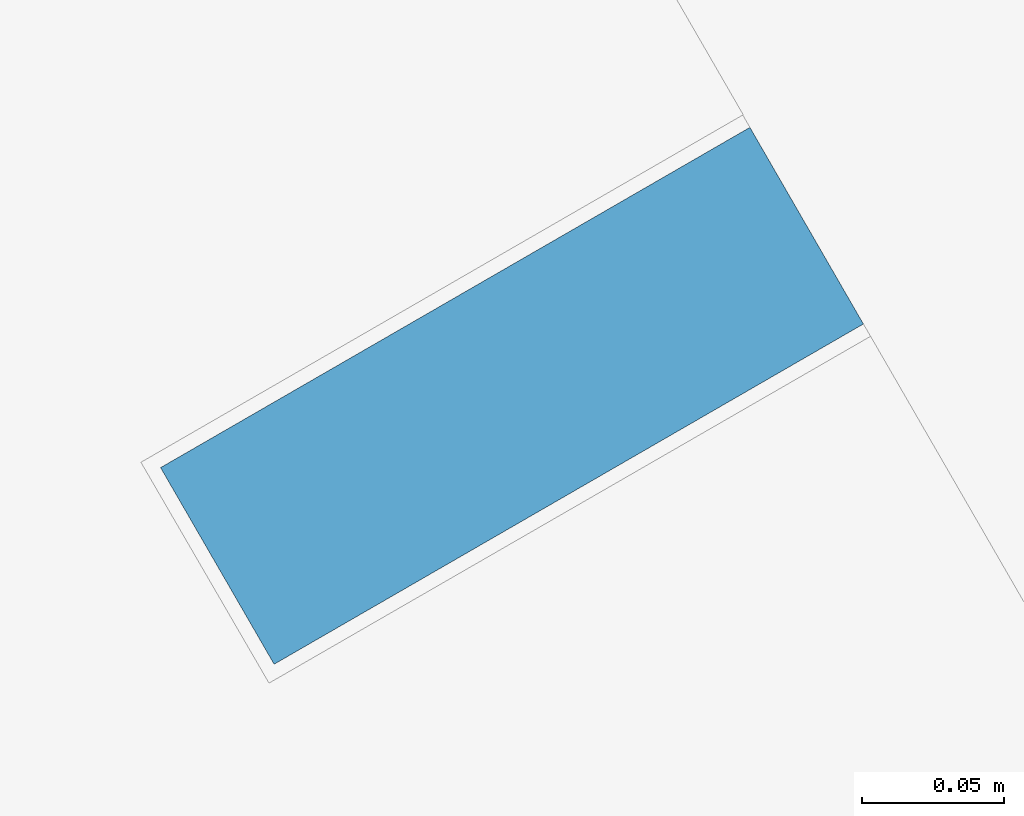
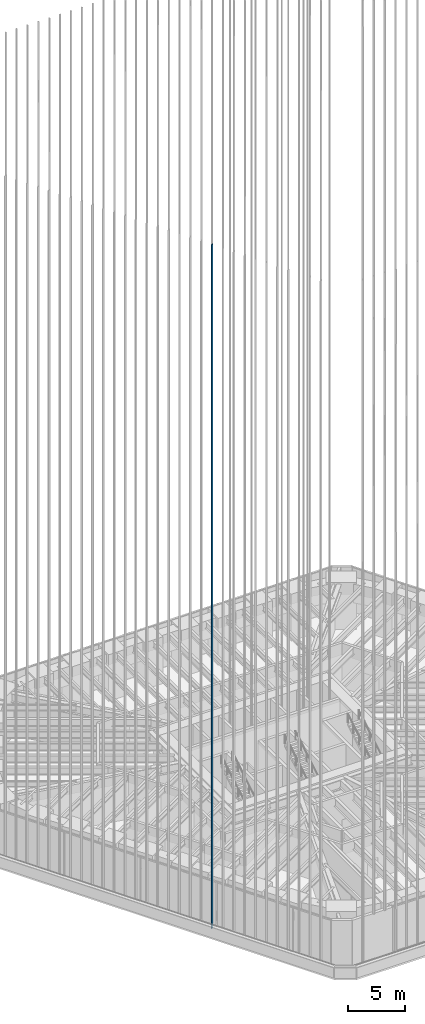
# One storey, part 11 of 228: 1 member, 1 element without a shape of its own.
"""IFC4 building model written with IfcOpenShell, lengths in metres."""

from ifc_helpers import new_model, si_unit, direction, frame, origin, origin_2d, place, context, subcontext, project, spatial, rectangle, extrude, material, material_profile, profile_set, type_object, element, aggregate, save


model = new_model("IFC4")

# Units and contexts
model_context = context("Model", 3, precision=1e-05, world=origin(), true_north=direction((0.0, 1.0)))
body_context = subcontext(model_context, "Body", "Model", "MODEL_VIEW")
ifc_project = project(units=[si_unit("LENGTHUNIT", "METRE"), si_unit("AREAUNIT", "SQUARE_METRE"), si_unit("VOLUMEUNIT", "CUBIC_METRE"), si_unit("PLANEANGLEUNIT", "RADIAN"), si_unit("MASSUNIT", "GRAM", prefix="KILO")], contexts=[model_context])

# Site, building, storey
site_placement = place(None, origin())
site = spatial("IfcSite", under=ifc_project, at=site_placement, CompositionType="ELEMENT")
building_placement = place(site_placement, origin())
building = spatial("IfcBuilding", under=site, at=building_placement, Name="Sandreach Pilgrim Tower", CompositionType="ELEMENT")
storey_placement = place(building_placement, frame((0.0, 0.0, 178.199951171875)))
storey = spatial("IfcBuildingStorey", under=building, at=storey_placement, Name="L44", CompositionType="ELEMENT", Elevation=178.199951171875)

# Curtain wall, member
ifc_material_1 = material(Name="Aluminium framed curtain wall", Category="aluminium")
curtain_wall_type = type_object("IfcCurtainWallType", Name="Upper hotel tower curtain wall", PredefinedType="NOTDEFINED", material=ifc_material_1)
curtain_wall_placement = place(storey_placement, origin())
curtain_wall = element("IfcCurtainWall", 1, at=curtain_wall_placement, inside=storey, type_object=curtain_wall_type, Name="CW-3 L44 SW", PredefinedType="NOTDEFINED")
ifc_material_2 = material(Name="Extruded terracotta on aluminium core", Category="masonry")
ifc_material_profile = material_profile(ifc_material_2, rectangle(XDim=0.080078125, YDim=0.239990234375, at=origin_2d()), Name="TBW 80X240")
ifc_profile_set = profile_set([ifc_material_profile], Name="Extruded terracotta on aluminium core")
member_type = type_object("IfcMemberType", Name="Terracotta baguette west", PredefinedType="USERDEFINED", material=ifc_profile_set)
member_placement = place(storey_placement, frame((-15.933837890625, -15.56201171875, 0.0), z_axis=(0.0, 0.0, 1.0), x_axis=(-0.5, 0.866025403784, 0.0)))
member = element("IfcMember", 2, at=member_placement, type_object=member_type, Name="Baguette Z3 SW11", ObjectType="BAGUETTE", PredefinedType="USERDEFINED", context=body_context, shape_type="SweptSolid", body=[
    extrude(rectangle(XDim=0.080078125, YDim=0.239990234375, at=origin_2d()), origin(), (0.0, 0.0, 1.0), 73.239990234375),
])
aggregate(curtain_wall, [member])

save(model, "model.ifc")
